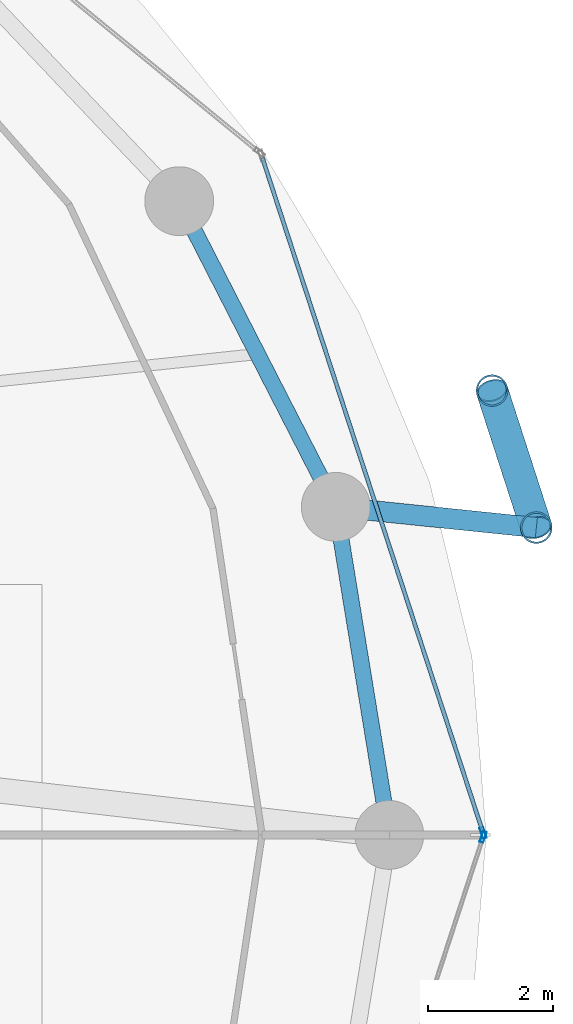
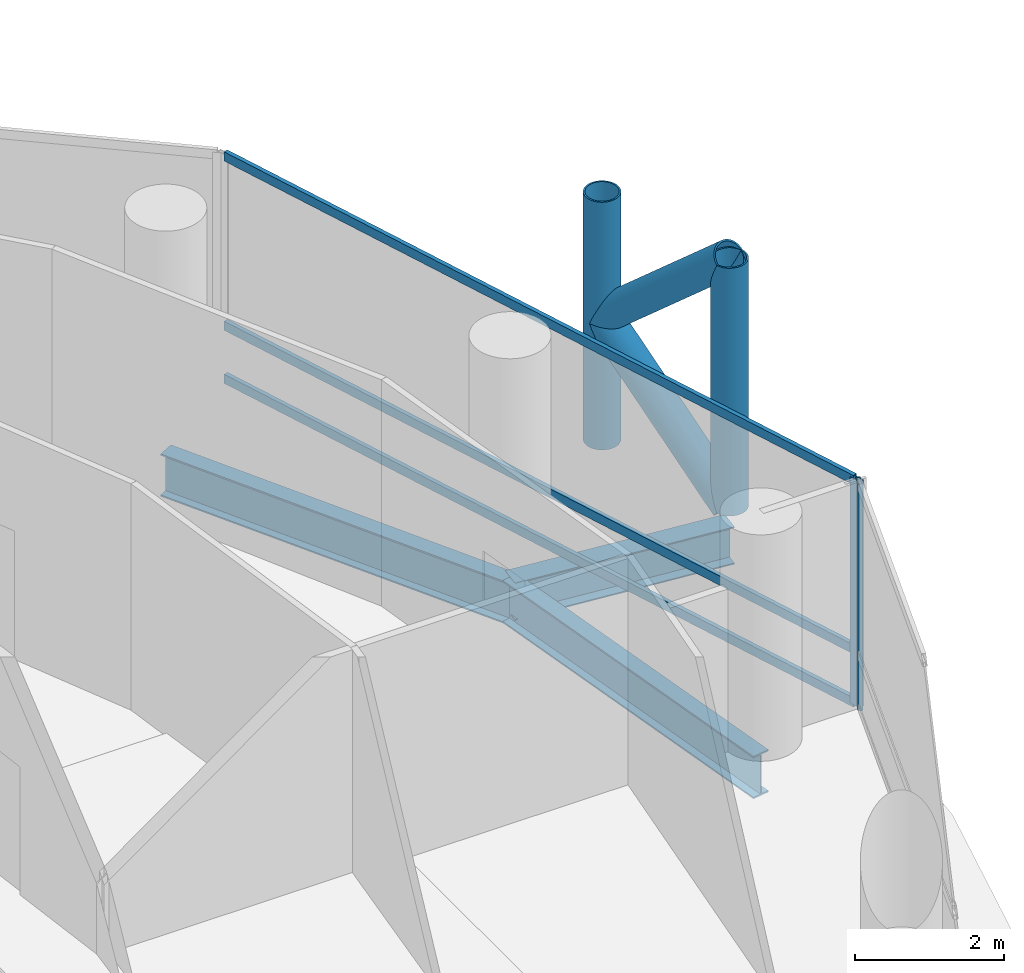
# One storey, part 12 of 27: 9 members, 3 beams, 2 elements without a shape of their own.
"""IFC4 building model written with IfcOpenShell, lengths in metres."""

from ifc_helpers import new_model, si_unit, direction, frame, origin, origin_2d, place, context, subcontext, project, spatial, hollow_rectangle, hollow_circle, i_section, extrude, material, layer, layer_set, material_profile, profile_set, type_object, element, aggregate, save


model = new_model("IFC4")

# Units and contexts
model_context = context("Model", 3, precision=1e-05, world=origin(), true_north=direction((0.0, 1.0)))
body_context = subcontext(model_context, "Body", "Model", "MODEL_VIEW")
ifc_project = project(units=[si_unit("LENGTHUNIT", "METRE"), si_unit("AREAUNIT", "SQUARE_METRE"), si_unit("VOLUMEUNIT", "CUBIC_METRE"), si_unit("PLANEANGLEUNIT", "RADIAN"), si_unit("MASSUNIT", "GRAM", prefix="KILO")], contexts=[model_context])

# Site, building, storey
site_placement = place(None, origin())
site = spatial("IfcSite", under=ifc_project, at=site_placement, CompositionType="ELEMENT")
building_placement = place(site_placement, origin())
building = spatial("IfcBuilding", under=site, at=building_placement, Name="Nuhasar Tower", CompositionType="ELEMENT")
storey_placement = place(building_placement, frame((0.0, 0.0, 102.0)))
storey = spatial("IfcBuildingStorey", under=building, at=storey_placement, Name="L24", CompositionType="ELEMENT", Elevation=102.0)

# Beams
ifc_material_1 = material(Name="Steel S355", Category="steel")
ifc_material_profile_1 = material_profile(ifc_material_1, i_section(OverallWidth=0.256103515625, OverallDepth=0.693115234375, WebThickness=0.014404296875, FlangeThickness=0.023681640625, at=origin_2d()), Name="W27X114")
ifc_profile_set_1 = profile_set([ifc_material_profile_1], Name="Steel S355")
beam_type_1 = type_object("IfcBeamType", Name="BM-RING-W27X114", PredefinedType="SPANDREL", material=ifc_profile_set_1)
beam_1_placement = place(storey_placement, frame((64.050048828125, 26.800048828125, -0.596923828125), z_axis=(-0.160826635486, 0.986982671235, 0.0), x_axis=(-0.986982671235, -0.160826635486, 0.0)))
element("IfcBeam", 1, at=beam_1_placement, inside=storey, type_object=beam_type_1, Name="L24 Perimeter Ring Spandrel 01", PredefinedType="SPANDREL", context=body_context, shape_type="SweptSolid", body=[
    extrude(i_section(OverallWidth=0.256103515625, OverallDepth=0.693115234375, WebThickness=0.014404296875, FlangeThickness=0.023681640625, at=origin_2d()), origin(), (0.0, 0.0, 1.0), 5.31005859375),
])
beam_2_placement = place(storey_placement, frame((63.196044921875, 32.041015625, -0.596923828125), z_axis=(-0.455930023905, 0.890015625314, 0.0), x_axis=(-0.890015625314, -0.455930023905, 0.0)))
element("IfcBeam", 2, at=beam_2_placement, inside=storey, type_object=beam_type_1, Name="L24 Perimeter Ring Spandrel 02", PredefinedType="SPANDREL", context=body_context, shape_type="SweptSolid", body=[
    extrude(i_section(OverallWidth=0.256103515625, OverallDepth=0.693115234375, WebThickness=0.014404296875, FlangeThickness=0.023681640625, at=origin_2d()), origin(), (0.0, 0.0, 1.0), 5.487548828125),
])
ifc_material_profile_2 = material_profile(ifc_material_1, i_section(OverallWidth=0.323974609375, OverallDepth=0.611083984375, WebThickness=0.0126953125, FlangeThickness=0.01904296875, at=origin_2d()), Name="W24X104")
ifc_profile_set_2 = profile_set([ifc_material_profile_2], Name="Steel S355")
beam_type_2 = type_object("IfcBeamType", Name="BM-TIE-W24X104", PredefinedType="BEAM", material=ifc_profile_set_2)
beam_3_placement = place(storey_placement, frame((63.196044921875, 32.041015625, -0.554931640625), z_axis=(0.994703825606, -0.102782777377, 0.0), x_axis=(0.102782777377, 0.994703825606, 0.0)))
element("IfcBeam", 3, at=beam_3_placement, inside=storey, type_object=beam_type_2, Name="L24 Exoskeleton Node Tie Beam 01", PredefinedType="BEAM", context=body_context, shape_type="SweptSolid", body=[
    extrude(i_section(OverallWidth=0.323974609375, OverallDepth=0.611083984375, WebThickness=0.0126953125, FlangeThickness=0.01904296875, at=origin_2d()), origin(), (0.0, 0.0, 1.0), 3.220947265625),
])

# Curtain wall, member
ifc_material_2 = material(Name="Aluminium 6063-T6", Category="aluminium")
ifc_layer = layer(ifc_material_2, 0.199951171875)
ifc_layer_set = layer_set([ifc_layer], Name="Aluminium 6063-T6")
curtain_wall_type = type_object("IfcCurtainWallType", Name="CW-Z1-OFF", PredefinedType="NOTDEFINED", material=ifc_layer_set)
curtain_wall_1_placement = place(storey_placement, origin())
curtain_wall_1 = element("IfcCurtainWall", 4, at=curtain_wall_1_placement, inside=storey, type_object=curtain_wall_type, Name="L24 Unitised Curtain Wall 01", PredefinedType="NOTDEFINED")
ifc_material_profile_3 = material_profile(ifc_material_2, hollow_rectangle(XDim=0.06494140625, YDim=0.179931640625, WallThickness=0.0048828125, at=origin_2d()), Name="CWM-2")
ifc_profile_set_3 = profile_set([ifc_material_profile_3], Name="Aluminium 6063-T6")
member_type_1 = type_object("IfcMemberType", Name="CW-MUL-S2", PredefinedType="MULLION", material=ifc_profile_set_3)
member_1_placement = place(storey_placement, frame((65.5498046875, 26.830810546875, 0.0), z_axis=(0.0, 0.0, 1.0), x_axis=(-0.950467534571, -0.310823849997, 0.0)))
member_1 = element("IfcMember", 5, at=member_1_placement, type_object=member_type_1, Name="CW-Z1 mullion 1", PredefinedType="MULLION", context=body_context, shape_type="SweptSolid", body=[
    extrude(hollow_rectangle(XDim=0.06494140625, YDim=0.179931640625, WallThickness=0.0048828125, at=origin_2d()), origin(), (0.0, 0.0, 1.0), 3.699951171875),
])

curtain_wall_2_placement = place(storey_placement, origin())
curtain_wall_2 = element("IfcCurtainWall", 6, at=curtain_wall_2_placement, inside=storey, type_object=curtain_wall_type, Name="L24 Unitised Curtain Wall 12", PredefinedType="NOTDEFINED")
member_2_placement = place(storey_placement, frame((65.5498046875, 26.76904296875, 0.0), z_axis=(0.0, 0.0, 1.0), x_axis=(-0.950467534571, 0.310823849997, 0.0)))
member_2 = element("IfcMember", 7, at=member_2_placement, type_object=member_type_1, Name="CW-Z1 mullion 2", PredefinedType="MULLION", context=body_context, shape_type="SweptSolid", body=[
    extrude(hollow_rectangle(XDim=0.06494140625, YDim=0.179931640625, WallThickness=0.0048828125, at=origin_2d()), origin(), (0.0, 0.0, 1.0), 3.699951171875),
])
aggregate(curtain_wall_2, [member_2])

# Member
ifc_material_profile_4 = material_profile(ifc_material_2, hollow_rectangle(XDim=0.06494140625, YDim=0.14990234375, WallThickness=0.00439453125, at=origin_2d()), Name="CWT-2")
ifc_profile_set_4 = profile_set([ifc_material_profile_4], Name="Aluminium 6063-T6")
member_type_2 = type_object("IfcMemberType", Name="CW-TRN-S2", PredefinedType="USERDEFINED", material=ifc_profile_set_4)
member_3_placement = place(storey_placement, frame((65.539794921875, 26.86181640625, 0.032470703125), z_axis=(-0.31082506089, 0.950467138581, 0.0), x_axis=(-0.950467138581, -0.31082506089, 0.0)))
member_3 = element("IfcMember", 8, at=member_3_placement, type_object=member_type_2, Name="CW-Z1 transom 1.1", ObjectType="TRANSOM", PredefinedType="USERDEFINED", context=body_context, shape_type="SweptSolid", body=[
    extrude(hollow_rectangle(XDim=0.06494140625, YDim=0.14990234375, WallThickness=0.00439453125, at=origin_2d()), origin(), (0.0, 0.0, 1.0), 11.31689453125),
])

member_4_placement = place(storey_placement, frame((65.539794921875, 26.86181640625, 0.89990234375), z_axis=(-0.31082506089, 0.950467138581, 0.0), x_axis=(-0.950467138581, -0.31082506089, 0.0)))
member_4 = element("IfcMember", 9, at=member_4_placement, type_object=member_type_2, Name="CW-Z1 transom 1.2", ObjectType="TRANSOM", PredefinedType="USERDEFINED", context=body_context, shape_type="SweptSolid", body=[
    extrude(hollow_rectangle(XDim=0.06494140625, YDim=0.14990234375, WallThickness=0.00439453125, at=origin_2d()), origin(), (0.0, 0.0, 1.0), 11.31689453125),
])

member_5_placement = place(storey_placement, frame((65.539794921875, 26.86181640625, 3.66748046875), z_axis=(-0.31082506089, 0.950467138581, 0.0), x_axis=(-0.950467138581, -0.31082506089, 0.0)))
member_5 = element("IfcMember", 10, at=member_5_placement, type_object=member_type_2, Name="CW-Z1 transom 1.3", ObjectType="TRANSOM", PredefinedType="USERDEFINED", context=body_context, shape_type="SweptSolid", body=[
    extrude(hollow_rectangle(XDim=0.06494140625, YDim=0.14990234375, WallThickness=0.00439453125, at=origin_2d()), origin(), (0.0, 0.0, 1.0), 11.31689453125),
])

aggregate(curtain_wall_1, [member_1, member_3, member_4, member_5])

# Members
ifc_material_3 = material(Name="Steel S460", Category="steel")
ifc_material_profile_5 = material_profile(ifc_material_3, hollow_circle(Radius=0.25390625, WallThickness=0.025390625, at=origin_2d()), Name="HSS508X25.4")
ifc_profile_set_5 = profile_set([ifc_material_profile_5], Name="Steel S460")
member_type_3 = type_object("IfcMemberType", Name="EXO-BRONZE-508", PredefinedType="BRACE", material=ifc_profile_set_5)
for number, where, z_axis, x_axis, name in (
    (11, (66.39990234375, 31.7099609375, 0.0), (0.0, 0.0, 1.0), (1.0, 0.0, 0.0), "L24 Exoskeleton Chord Column EC-01A"),
    (12, (65.69189453125, 33.89892578125, 0.0), (0.0, 0.0, 1.0), (1.0, 0.0, 0.0), "L24 Exoskeleton Chord Column EC-01B"),
):
    element("IfcMember", number, at=place(storey_placement, frame(where, z_axis=z_axis, x_axis=x_axis)), inside=storey, type_object=member_type_3, Name=name, PredefinedType="BRACE", context=body_context, shape_type="SweptSolid", body=[
        extrude(hollow_circle(Radius=0.25390625, WallThickness=0.025390625, at=origin_2d()), origin(), (0.0, 0.0, 1.0), 4.050048828125),
    ])
member_6_placement = place(storey_placement, frame((66.39990234375, 31.7099609375, 0.0), z_axis=(-0.231011836313, 0.714224870475, 0.660693851854), x_axis=(-0.951468282519, -0.307746823478, 0.0)))
element("IfcMember", 13, at=member_6_placement, inside=storey, type_object=member_type_3, Name="L24 Bronze Diagrid Brace W1-01", PredefinedType="BRACE", context=body_context, shape_type="SweptSolid", body=[
    extrude(hollow_circle(Radius=0.25390625, WallThickness=0.025390625, at=origin_2d()), origin(), (0.0, 0.0, 1.0), 3.064697265625),
])
member_7_placement = place(storey_placement, frame((65.69189453125, 33.89892578125, 2.02490234375), z_axis=(0.230999678299, -0.714187281251, 0.660738734997), x_axis=(0.951468282519, 0.307746823478, 0.0)))
element("IfcMember", 14, at=member_7_placement, inside=storey, type_object=member_type_3, Name="L24 Bronze Diagrid Brace W2-01", PredefinedType="BRACE", context=body_context, shape_type="SweptSolid", body=[
    extrude(hollow_circle(Radius=0.25390625, WallThickness=0.025390625, at=origin_2d()), origin(), (0.0, 0.0, 1.0), 3.06494140625),
])

save(model, "model.ifc")
